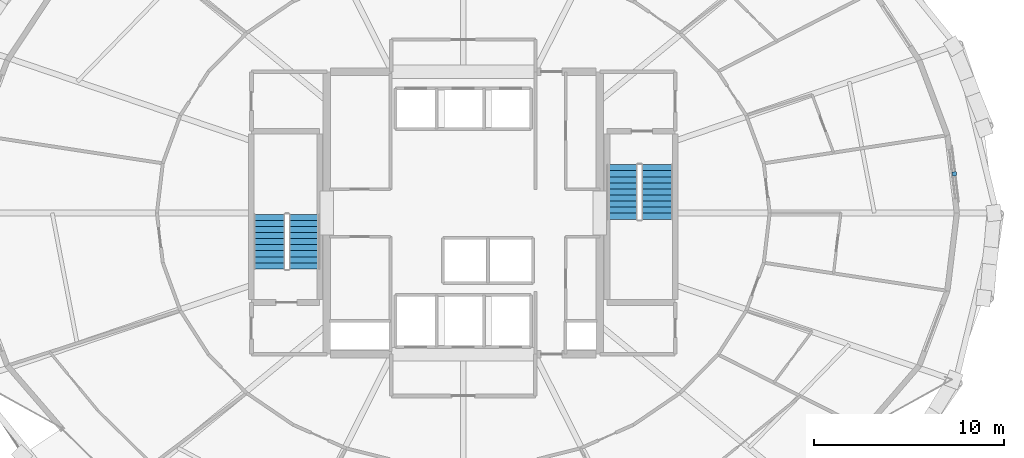
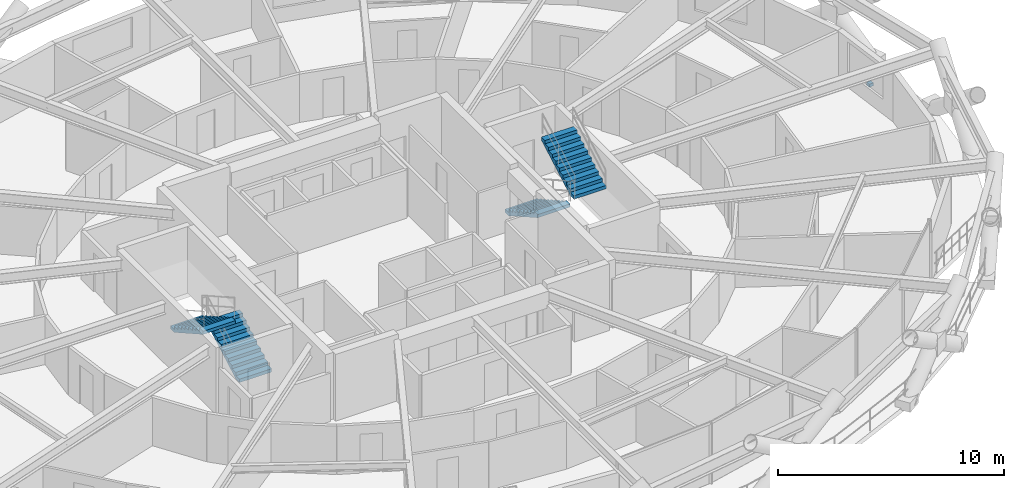
# One storey, part 16 of 18: 4 stair flights, 1 discrete accessory, 2 elements without a shape of their own.
"""IFC4 building model written with IfcOpenShell, lengths in metres."""

from ifc_helpers import new_model, si_unit, direction, frame, origin, origin_2d, place, context, subcontext, project, spatial, polyline, rectangle, outline, extrude, material, type_object, element, aggregate, save


model = new_model("IFC4")

# Units and contexts
model_context = context("Model", 3, precision=1e-05, world=origin(), true_north=direction((0.0, 1.0)))
body_context = subcontext(model_context, "Body", "Model", "MODEL_VIEW")
ifc_project = project(units=[si_unit("LENGTHUNIT", "METRE"), si_unit("AREAUNIT", "SQUARE_METRE"), si_unit("VOLUMEUNIT", "CUBIC_METRE"), si_unit("PLANEANGLEUNIT", "RADIAN"), si_unit("MASSUNIT", "GRAM", prefix="KILO")], contexts=[model_context])

# Site, building, storey
site_placement = place(None, origin())
site = spatial("IfcSite", under=ifc_project, at=site_placement, CompositionType="ELEMENT")
building_placement = place(site_placement, origin())
building = spatial("IfcBuilding", under=site, at=building_placement, Name="Veldorina Hangang Commons", CompositionType="ELEMENT")
storey_placement = place(building_placement, frame((0.0, 0.0, 41.199951171875)))
storey = spatial("IfcBuildingStorey", under=building, at=storey_placement, Name="L09", CompositionType="ELEMENT", Elevation=41.199951171875)

# Stair, stair flights
ifc_material_1 = material(Name="Concrete C40/50", Category="concrete")
stair_type = type_object("IfcStairType", Name="STR-DOG-1650-20R", PredefinedType="HALF_TURN_STAIR", material=ifc_material_1)
stair_1_placement = place(storey_placement, origin())
stair_1 = element("IfcStair", 1, at=stair_1_placement, inside=storey, type_object=stair_type, Name="L09 Exit stair ST-1", PredefinedType="HALF_TURN_STAIR")
stair_flight_type = type_object("IfcStairFlightType", Name="SFL-STR-1650-20R", PredefinedType="STRAIGHT", material=ifc_material_1)
stair_flight_1_placement = place(storey_placement, frame((23.625, 21.050048828125, 0.0), z_axis=(0.0, 0.0, 1.0), x_axis=(0.0, 1.0, 0.0)))
stair_flight_1 = element("IfcStairFlight", 2, at=stair_flight_1_placement, type_object=stair_flight_type, Name="ST-1 flight 1", NumberOfRisers=10, NumberOfTreads=9, PredefinedType="STRAIGHT", RiserHeight=0.18, TreadLength=0.32, context=body_context, shape_type="SweptSolid", body=[
    extrude(outline(polyline([(0.0, 0.0), (0.0, 0.179931640625), (0.320068359375, 0.179931640625), (0.320068359375, 0.360107421875), (0.639892578125, 0.360107421875), (0.639892578125, 0.5400390625), (0.9599609375, 0.5400390625), (0.9599609375, 0.719970703125), (1.280029296875, 0.719970703125), (1.280029296875, 0.89990234375), (1.60009765625, 0.89990234375), (1.60009765625, 1.080078125), (1.919921875, 1.080078125), (1.919921875, 1.260009765625), (2.239990234375, 1.260009765625), (2.239990234375, 1.43994140625), (2.56005859375, 1.43994140625), (2.56005859375, 1.6201171875), (2.8798828125, 1.6201171875), (2.8798828125, 1.800048828125), (2.8798828125, 1.447998046875), (0.3056640625, 0.0), (0.0, 0.0)])), frame((0.0, 0.824951171875, 0.0), z_axis=(0.0, -1.0, 0.0), x_axis=(1.0, 0.0, 0.0)), (0.0, 0.0, 1.0), 1.64990234375),
])
stair_flight_2_placement = place(storey_placement, frame((21.77490234375, 23.929931640625, 1.800048828125), z_axis=(0.0, 0.0, 1.0), x_axis=(0.0, -1.0, 0.0)))
stair_flight_2 = element("IfcStairFlight", 3, at=stair_flight_2_placement, type_object=stair_flight_type, Name="ST-1 flight 2", NumberOfRisers=10, NumberOfTreads=9, PredefinedType="STRAIGHT", RiserHeight=0.18, TreadLength=0.32, context=body_context, shape_type="SweptSolid", body=[
    extrude(outline(polyline([(0.0, 0.0), (0.0, 0.179931640625), (0.320068359375, 0.179931640625), (0.320068359375, 0.360107421875), (0.639892578125, 0.360107421875), (0.639892578125, 0.5400390625), (0.9599609375, 0.5400390625), (0.9599609375, 0.719970703125), (1.280029296875, 0.719970703125), (1.280029296875, 0.89990234375), (1.60009765625, 0.89990234375), (1.60009765625, 1.080078125), (1.919921875, 1.080078125), (1.919921875, 1.260009765625), (2.239990234375, 1.260009765625), (2.239990234375, 1.43994140625), (2.56005859375, 1.43994140625), (2.56005859375, 1.6201171875), (2.8798828125, 1.6201171875), (2.8798828125, 1.800048828125), (2.8798828125, 1.447998046875), (0.3056640625, 0.0), (0.0, 0.0)])), frame((0.0, 0.824951171875, 0.0), z_axis=(0.0, -1.0, 0.0), x_axis=(1.0, 0.0, 0.0)), (0.0, 0.0, 1.0), 1.64990234375),
])
aggregate(stair_1, [stair_flight_1, stair_flight_2])

stair_2_placement = place(storey_placement, origin())
stair_2 = element("IfcStair", 4, at=stair_2_placement, inside=storey, type_object=stair_type, Name="L09 Exit stair ST-2", PredefinedType="HALF_TURN_STAIR")
stair_flight_3_placement = place(storey_placement, frame((40.375, 26.550048828125, 0.0), z_axis=(0.0, 0.0, 1.0), x_axis=(0.0, -1.0, 0.0)))
stair_flight_3 = element("IfcStairFlight", 5, at=stair_flight_3_placement, type_object=stair_flight_type, Name="ST-2 flight 1", NumberOfRisers=10, NumberOfTreads=9, PredefinedType="STRAIGHT", RiserHeight=0.18, TreadLength=0.32, context=body_context, shape_type="SweptSolid", body=[
    extrude(outline(polyline([(0.0, 0.0), (0.0, 0.179931640625), (0.320068359375, 0.179931640625), (0.320068359375, 0.360107421875), (0.639892578125, 0.360107421875), (0.639892578125, 0.5400390625), (0.9599609375, 0.5400390625), (0.9599609375, 0.719970703125), (1.280029296875, 0.719970703125), (1.280029296875, 0.89990234375), (1.60009765625, 0.89990234375), (1.60009765625, 1.080078125), (1.919921875, 1.080078125), (1.919921875, 1.260009765625), (2.239990234375, 1.260009765625), (2.239990234375, 1.43994140625), (2.56005859375, 1.43994140625), (2.56005859375, 1.6201171875), (2.8798828125, 1.6201171875), (2.8798828125, 1.800048828125), (2.8798828125, 1.447998046875), (0.3056640625, 0.0), (0.0, 0.0)])), frame((0.0, 0.824951171875, 0.0), z_axis=(0.0, -1.0, 0.0), x_axis=(1.0, 0.0, 0.0)), (0.0, 0.0, 1.0), 1.64990234375),
])
stair_flight_4_placement = place(storey_placement, frame((42.22509765625, 23.669921875, 1.800048828125), z_axis=(0.0, 0.0, 1.0), x_axis=(0.0, 1.0, 0.0)))
stair_flight_4 = element("IfcStairFlight", 6, at=stair_flight_4_placement, type_object=stair_flight_type, Name="ST-2 flight 2", NumberOfRisers=10, NumberOfTreads=9, PredefinedType="STRAIGHT", RiserHeight=0.18, TreadLength=0.32, context=body_context, shape_type="SweptSolid", body=[
    extrude(outline(polyline([(0.0, 0.0), (0.0, 0.179931640625), (0.320068359375, 0.179931640625), (0.320068359375, 0.360107421875), (0.639892578125, 0.360107421875), (0.639892578125, 0.5400390625), (0.9599609375, 0.5400390625), (0.9599609375, 0.719970703125), (1.280029296875, 0.719970703125), (1.280029296875, 0.89990234375), (1.60009765625, 0.89990234375), (1.60009765625, 1.080078125), (1.919921875, 1.080078125), (1.919921875, 1.260009765625), (2.239990234375, 1.260009765625), (2.239990234375, 1.43994140625), (2.56005859375, 1.43994140625), (2.56005859375, 1.6201171875), (2.8798828125, 1.6201171875), (2.8798828125, 1.800048828125), (2.8798828125, 1.447998046875), (0.3056640625, 0.0), (0.0, 0.0)])), frame((0.0, 0.824951171875, 0.0), z_axis=(0.0, -1.0, 0.0), x_axis=(1.0, 0.0, 0.0)), (0.0, 0.0, 1.0), 1.64990234375),
])
aggregate(stair_2, [stair_flight_3, stair_flight_4])

# Discrete accessory
ifc_material_2 = material(Name="Stainless Steel Brushed 316", Category="steel")
discrete_accessory_type = type_object("IfcDiscreteAccessoryType", Name="BRK-SCR-SS", PredefinedType="BRACKET", material=ifc_material_2)
discrete_accessory_placement = place(storey_placement, frame((57.904296875, 26.06640625, 0.72021484375), z_axis=(0.0, 0.0, 1.0), x_axis=(-0.121020462224, 0.992650012705, 0.0)))
element("IfcDiscreteAccessory", 7, at=discrete_accessory_placement, inside=storey, type_object=discrete_accessory_type, Name="L09 solar screen support bracket 00", PredefinedType="BRACKET", context=body_context, shape_type="SweptSolid", body=[
    extrude(rectangle(XDim=0.219970703125, YDim=0.219970703125, at=origin_2d()), origin(), (0.0, 0.0, 1.0), 0.159912109375),
])

save(model, "model.ifc")
